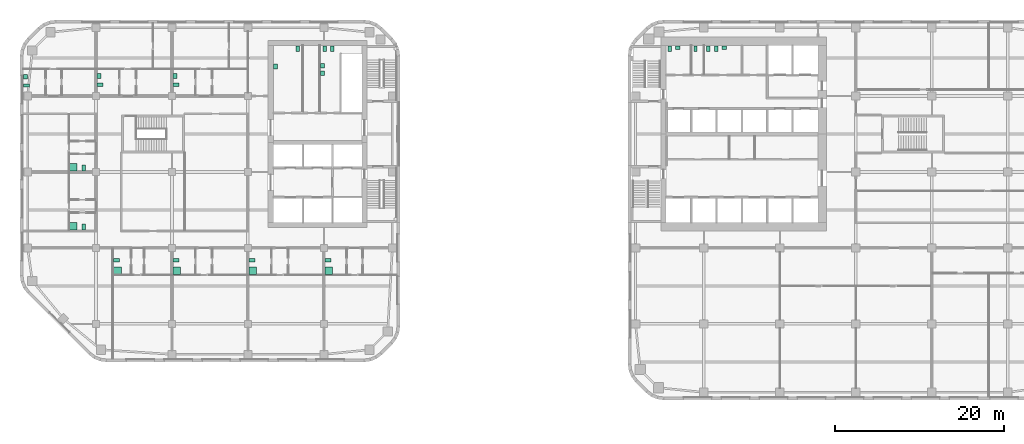
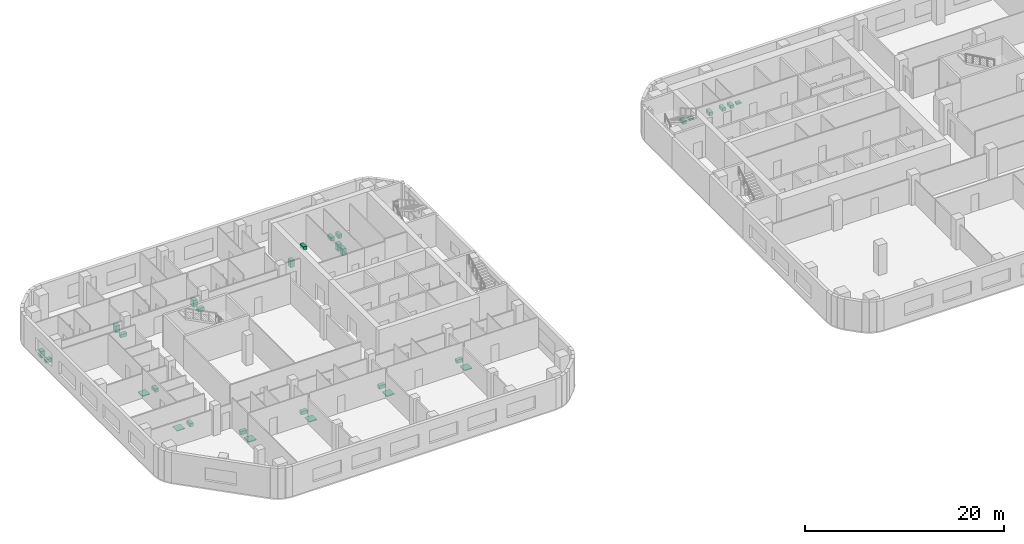
# One storey, part 16 of 16: 30 sanitary terminals.
"""IFC4 building model written with IfcOpenShell, lengths in metres."""

from ifc_helpers import new_model, si_unit, direction, frame, origin, origin_2d, place, context, subcontext, project, spatial, rectangle, extrude, material, type_object, element, save


model = new_model("IFC4")

# Units and contexts
model_context = context("Model", 3, precision=1e-05, world=origin(), true_north=direction((0.0, 1.0)))
body_context = subcontext(model_context, "Body", "Model", "MODEL_VIEW")
ifc_project = project(units=[si_unit("LENGTHUNIT", "METRE"), si_unit("AREAUNIT", "SQUARE_METRE"), si_unit("VOLUMEUNIT", "CUBIC_METRE"), si_unit("PLANEANGLEUNIT", "RADIAN"), si_unit("MASSUNIT", "GRAM", prefix="KILO")], contexts=[model_context])

# Site, building, storey
site_placement = place(None, origin())
site = spatial("IfcSite", under=ifc_project, at=site_placement, CompositionType="ELEMENT")
building_placement = place(site_placement, origin())
building = spatial("IfcBuilding", under=site, at=building_placement, Name="Cinnabar Reach Civic Tower", CompositionType="ELEMENT")
storey_placement = place(building_placement, frame((0.0, 0.0, 42.0)))
storey = spatial("IfcBuildingStorey", under=building, at=storey_placement, Name="L09", CompositionType="ELEMENT", Elevation=42.0)

# Sanitary terminals
ifc_material_1 = material(Name="Vitreous china")
sanitary_terminal_type_1 = type_object("IfcSanitaryTerminalType", Name="T1 WC pan", PredefinedType="TOILETPAN", material=ifc_material_1)
for number, where, z_axis, x_axis, name in (
    (1, (4.95, 41.6, 0.0), (0.0, 0.0, 1.0), (1.0, 0.0, 0.0), "T1 WC pan 0907-1"),
    (2, (8.0, 41.6, 0.0), (0.0, 0.0, 1.0), (1.0, 0.0, 0.0), "T1 WC pan 0908-1"),
    (3, (9.5, 41.6, 0.0), (0.0, 0.0, 1.0), (1.0, 0.0, 0.0), "T1 WC pan 0909-1"),
    (4, (10.45, 41.6, 0.0), (0.0, 0.0, 1.0), (1.0, 0.0, 0.0), "T1 WC pan 0909-2"),
):
    element("IfcSanitaryTerminal", number, at=place(storey_placement, frame(where, z_axis=z_axis, x_axis=x_axis)), inside=storey, type_object=sanitary_terminal_type_1, Name=name, PredefinedType="TOILETPAN", context=body_context, shape_type="SweptSolid", body=[
        extrude(rectangle(XDim=0.4, YDim=0.7, at=origin_2d()), origin(), (0.0, 0.0, 1.0), 0.4),
    ])
sanitary_terminal_type_2 = type_object("IfcSanitaryTerminalType", Name="T1 wash basin", PredefinedType="WASHHANDBASIN", material=ifc_material_1)
for number, where, z_axis, x_axis, name in (
    (5, (5.9, 41.74, 0.0), (0.0, 0.0, 1.0), (1.0, 0.0, 0.0), "T1 wash basin 0907-2"),
    (6, (11.4, 41.74, 0.0), (0.0, 0.0, 1.0), (1.0, 0.0, 0.0), "T1 wash basin 0909-3"),
):
    element("IfcSanitaryTerminal", number, at=place(storey_placement, frame(where, z_axis=z_axis, x_axis=x_axis)), inside=storey, type_object=sanitary_terminal_type_2, Name=name, PredefinedType="WASHHANDBASIN", context=body_context, shape_type="SweptSolid", body=[
        extrude(rectangle(XDim=0.5, YDim=0.42, at=origin_2d()), origin(), (0.0, 0.0, 1.0), 0.2),
    ])
ifc_material_2 = material(Name="Acrylic tray")
sanitary_terminal_type_3 = type_object("IfcSanitaryTerminalType", Name="T2 Shower tray", PredefinedType="SHOWER", material=ifc_material_2)
for number, where, z_axis, x_axis, name in (
    (7, (-60.45, 15.3, 0.0), (0.0, 0.0, 1.0), (1.0, 0.0, 0.0), "Shower tray"),
    (8, (-53.425, 15.3, 0.0), (0.0, 0.0, 1.0), (1.0, 0.0, 0.0), "Shower tray"),
    (9, (-44.425, 15.3, 0.0), (0.0, 0.0, 1.0), (1.0, 0.0, 0.0), "Shower tray"),
    (10, (-35.425, 15.3, 0.0), (0.0, 0.0, 1.0), (1.0, 0.0, 0.0), "Shower tray"),
    (11, (-65.7, 20.575, 0.0), (0.0, 0.0, 1.0), (1.0, 0.0, 0.0), "Shower tray"),
    (12, (-65.7, 27.575, 0.0), (0.0, 0.0, 1.0), (1.0, 0.0, 0.0), "Shower tray"),
):
    element("IfcSanitaryTerminal", number, at=place(storey_placement, frame(where, z_axis=z_axis, x_axis=x_axis)), inside=storey, type_object=sanitary_terminal_type_3, Name=name, PredefinedType="SHOWER", context=body_context, shape_type="SweptSolid", body=[
        extrude(rectangle(XDim=0.9, YDim=0.9, at=origin_2d()), origin(), (0.0, 0.0, 1.0), 0.1),
    ])
sanitary_terminal_type_4 = type_object("IfcSanitaryTerminalType", Name="T2 WC pan", PredefinedType="TOILETPAN", material=ifc_material_1)
for number, where, z_axis, x_axis, name in (
    (13, (-39.1, 41.6, 0.0), (0.0, 0.0, 1.0), (1.0, 0.0, 0.0), "WC pan"),
    (14, (-35.9, 41.6, 0.0), (0.0, 0.0, 1.0), (1.0, 0.0, 0.0), "WC pan"),
    (15, (-35.0, 41.6, 0.0), (0.0, 0.0, 1.0), (1.0, 0.0, 0.0), "WC pan"),
):
    element("IfcSanitaryTerminal", number, at=place(storey_placement, frame(where, z_axis=z_axis, x_axis=x_axis)), inside=storey, type_object=sanitary_terminal_type_4, Name=name, PredefinedType="TOILETPAN", context=body_context, shape_type="SweptSolid", body=[
        extrude(rectangle(XDim=0.4, YDim=0.7, at=origin_2d()), origin(), (0.0, 0.0, 1.0), 0.42),
    ])
for number, where, z_axis, x_axis, name in (
    (16, (-60.55, 16.55, 0.0), (0.0, 0.0, 1.0), (1.0, 0.0, 0.0), "WC pan"),
    (17, (-53.525, 16.55, 0.0), (0.0, 0.0, 1.0), (1.0, 0.0, 0.0), "WC pan"),
    (18, (-44.525, 16.55, 0.0), (0.0, 0.0, 1.0), (1.0, 0.0, 0.0), "WC pan"),
    (19, (-35.525, 16.55, 0.0), (0.0, 0.0, 1.0), (1.0, 0.0, 0.0), "WC pan"),
    (20, (-71.24, 37.25, 0.0), (0.0, 0.0, 1.0), (1.0, 0.0, 0.0), "WC pan"),
    (21, (-62.525, 37.325, 0.0), (0.0, 0.0, 1.0), (1.0, 0.0, 0.0), "WC pan"),
    (22, (-53.525, 37.325, 0.0), (0.0, 0.0, 1.0), (1.0, 0.0, 0.0), "WC pan"),
):
    element("IfcSanitaryTerminal", number, at=place(storey_placement, frame(where, z_axis=z_axis, x_axis=x_axis)), inside=storey, type_object=sanitary_terminal_type_4, Name=name, PredefinedType="TOILETPAN", context=body_context, shape_type="SweptSolid", body=[
        extrude(rectangle(XDim=0.7, YDim=0.4, at=origin_2d()), origin(), (0.0, 0.0, 1.0), 0.42),
    ])
for number, where, z_axis, x_axis, name in (
    (23, (-64.45, 20.475, 0.0), (0.0, 0.0, 1.0), (1.0, 0.0, 0.0), "WC pan"),
    (24, (-64.45, 27.475, 0.0), (0.0, 0.0, 1.0), (1.0, 0.0, 0.0), "WC pan"),
):
    element("IfcSanitaryTerminal", number, at=place(storey_placement, frame(where, z_axis=z_axis, x_axis=x_axis)), inside=storey, type_object=sanitary_terminal_type_4, Name=name, PredefinedType="TOILETPAN", context=body_context, shape_type="SweptSolid", body=[
        extrude(rectangle(XDim=0.4, YDim=0.7, at=origin_2d()), origin(), (0.0, 0.0, 1.0), 0.42),
    ])
sanitary_terminal_type_5 = type_object("IfcSanitaryTerminalType", Name="T2 Wash basin", PredefinedType="WASHHANDBASIN", material=ifc_material_1)
for number, where, z_axis, x_axis, name in (
    (25, (-41.725, 39.5, 0.0), (0.0, 0.0, 1.0), (1.0, 0.0, 0.0), "Wash basin"),
    (26, (-36.175, 39.6, 0.0), (0.0, 0.0, 1.0), (1.0, 0.0, 0.0), "Wash basin"),
    (27, (-36.175, 38.7, 0.0), (0.0, 0.0, 1.0), (1.0, 0.0, 0.0), "Wash basin"),
    (28, (-71.365, 38.3, 0.0), (0.0, 0.0, 1.0), (1.0, 0.0, 0.0), "Wash basin"),
    (29, (-62.65, 38.375, 0.0), (0.0, 0.0, 1.0), (1.0, 0.0, 0.0), "Wash basin"),
    (30, (-53.65, 38.375, 0.0), (0.0, 0.0, 1.0), (1.0, 0.0, 0.0), "Wash basin"),
):
    element("IfcSanitaryTerminal", number, at=place(storey_placement, frame(where, z_axis=z_axis, x_axis=x_axis)), inside=storey, type_object=sanitary_terminal_type_5, Name=name, PredefinedType="WASHHANDBASIN", context=body_context, shape_type="SweptSolid", body=[
        extrude(rectangle(XDim=0.45, YDim=0.55, at=origin_2d()), origin(), (0.0, 0.0, 1.0), 0.85),
    ])

save(model, "model.ifc")
